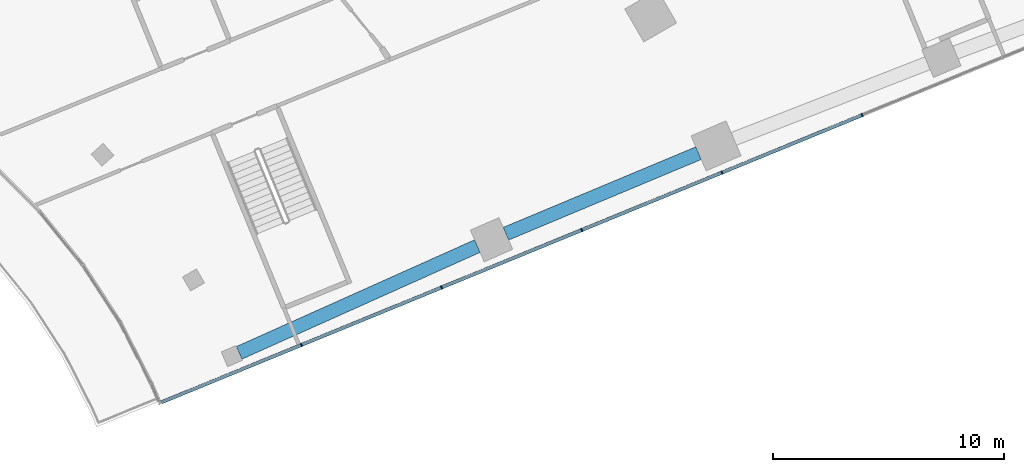
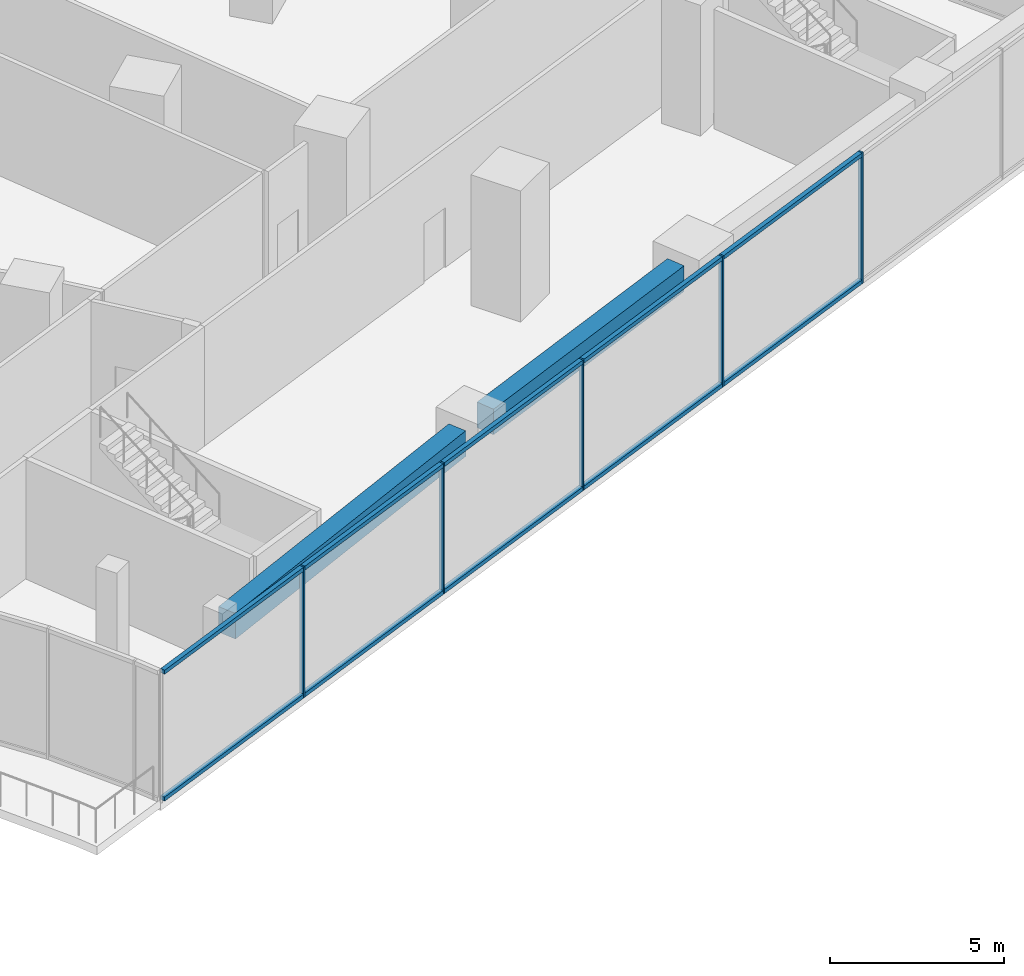
# One storey, part 10 of 39: 15 members, 2 beams, 1 element without a shape of its own.
"""IFC4 building model written with IfcOpenShell, lengths in metres."""

from ifc_helpers import new_model, si_unit, direction, frame, origin, origin_2d, place, context, subcontext, project, spatial, rectangle, extrude, material, layer, layer_set, material_profile, profile_set, type_object, element, aggregate, save


model = new_model("IFC4")

# Units and contexts
model_context = context("Model", 3, precision=1e-05, world=origin(), true_north=direction((0.0, 1.0)))
body_context = subcontext(model_context, "Body", "Model", "MODEL_VIEW")
ifc_project = project(units=[si_unit("LENGTHUNIT", "METRE"), si_unit("AREAUNIT", "SQUARE_METRE"), si_unit("VOLUMEUNIT", "CUBIC_METRE"), si_unit("PLANEANGLEUNIT", "RADIAN"), si_unit("MASSUNIT", "GRAM", prefix="KILO")], contexts=[model_context])

# Site, building, storey
site_placement = place(None, origin())
site = spatial("IfcSite", under=ifc_project, at=site_placement, CompositionType="ELEMENT")
building_placement = place(site_placement, origin())
building = spatial("IfcBuilding", under=site, at=building_placement, Name="Stone Belt Terrace Tower", CompositionType="ELEMENT")
storey_placement = place(building_placement, frame((0.0, 0.0, 20.800048828125)))
storey = spatial("IfcBuildingStorey", under=building, at=storey_placement, Name="L04", CompositionType="ELEMENT", Elevation=20.800048828125)

# Curtain wall, members
ifc_material_1 = material(Name="Aluminium 6063-T6 anodised frame", Category="aluminium")
ifc_layer = layer(ifc_material_1, 0.14990234375)
ifc_layer_set = layer_set([ifc_layer], Name="CW-D podium shopfront")
curtain_wall_type = type_object("IfcCurtainWallType", Name="CW-D podium shopfront", PredefinedType="NOTDEFINED", material=ifc_layer_set)
curtain_wall_placement = place(storey_placement, origin())
curtain_wall = element("IfcCurtainWall", 1, at=curtain_wall_placement, inside=storey, type_object=curtain_wall_type, Name="CW-D end face L04", PredefinedType="NOTDEFINED")
ifc_material_profile_1 = material_profile(ifc_material_1, rectangle(XDim=0.14990234375, YDim=0.06005859375, at=origin_2d()), Name="Aluminium 6063-T6 60x150")
ifc_profile_set_1 = profile_set([ifc_material_profile_1], Name="Aluminium 6063-T6 anodised frame")
member_type_1 = type_object("IfcMemberType", Name="CW-D mullion 60 x 150", PredefinedType="MULLION", material=ifc_profile_set_1)
member_1_placement = place(storey_placement, frame((32.47998046875, 13.231201171875, 0.0), z_axis=(0.0, 0.0, 1.0), x_axis=(-0.379243093825, 0.925297074342, 0.0)))
member_1 = element("IfcMember", 2, at=member_1_placement, type_object=member_type_1, Name="CW-D mullion 2", PredefinedType="MULLION", context=body_context, shape_type="SweptSolid", body=[
    extrude(rectangle(XDim=0.14990234375, YDim=0.06005859375, at=origin_2d()), origin(), (0.0, 0.0, 1.0), 4.599853515625),
])
member_2_placement = place(storey_placement, frame((38.560546875, 15.723388671875, 0.0), z_axis=(0.0, 0.0, 1.0), x_axis=(-0.379243093825, 0.925297074342, 0.0)))
member_2 = element("IfcMember", 3, at=member_2_placement, type_object=member_type_1, Name="CW-D mullion 3", PredefinedType="MULLION", context=body_context, shape_type="SweptSolid", body=[
    extrude(rectangle(XDim=0.14990234375, YDim=0.06005859375, at=origin_2d()), origin(), (0.0, 0.0, 1.0), 4.599853515625),
])
member_3_placement = place(storey_placement, frame((44.640869140625, 18.215576171875, 0.0), z_axis=(0.0, 0.0, 1.0), x_axis=(-0.379243093825, 0.925297074342, 0.0)))
member_3 = element("IfcMember", 4, at=member_3_placement, type_object=member_type_1, Name="CW-D mullion 4", PredefinedType="MULLION", context=body_context, shape_type="SweptSolid", body=[
    extrude(rectangle(XDim=0.14990234375, YDim=0.06005859375, at=origin_2d()), origin(), (0.0, 0.0, 1.0), 4.599853515625),
])
member_4_placement = place(storey_placement, frame((50.721435546875, 20.707763671875, 0.0), z_axis=(0.0, 0.0, 1.0), x_axis=(-0.379243093825, 0.925297074342, 0.0)))
member_4 = element("IfcMember", 5, at=member_4_placement, type_object=member_type_1, Name="CW-D mullion 5", PredefinedType="MULLION", context=body_context, shape_type="SweptSolid", body=[
    extrude(rectangle(XDim=0.14990234375, YDim=0.06005859375, at=origin_2d()), origin(), (0.0, 0.0, 1.0), 4.599853515625),
])
member_5_placement = place(storey_placement, frame((56.802001953125, 23.199951171875, 0.0), z_axis=(0.0, 0.0, 1.0), x_axis=(-0.379243093825, 0.925297074342, 0.0)))
member_5 = element("IfcMember", 6, at=member_5_placement, type_object=member_type_1, Name="CW-D mullion 6", PredefinedType="MULLION", context=body_context, shape_type="SweptSolid", body=[
    extrude(rectangle(XDim=0.14990234375, YDim=0.06005859375, at=origin_2d()), origin(), (0.0, 0.0, 1.0), 4.599853515625),
])
ifc_material_profile_2 = material_profile(ifc_material_1, rectangle(XDim=0.14990234375, YDim=0.139892578125, at=origin_2d()), Name="Aluminium 6063-T6 150x140")
ifc_profile_set_2 = profile_set([ifc_material_profile_2], Name="Aluminium 6063-T6 anodised frame")
member_type_2 = type_object("IfcMemberType", Name="CW-D transom 140 x 150", PredefinedType="USERDEFINED", material=ifc_profile_set_2)
member_6_placement = place(storey_placement, frame((26.3994140625, 10.739013671875, 0.070068359375), z_axis=(0.925300630004, 0.37923441842, 0.0), x_axis=(-0.37923441842, 0.925300630004, 0.0)))
member_6 = element("IfcMember", 7, at=member_6_placement, type_object=member_type_2, Name="CW-D transom 1.1", ObjectType="TRANSOM", PredefinedType="USERDEFINED", context=body_context, shape_type="SweptSolid", body=[
    extrude(rectangle(XDim=0.14990234375, YDim=0.139892578125, at=origin_2d()), origin(), (0.0, 0.0, 1.0), 6.541259765625),
])
member_7_placement = place(storey_placement, frame((26.3994140625, 10.739013671875, 4.530029296875), z_axis=(0.925300630004, 0.37923441842, 0.0), x_axis=(-0.37923441842, 0.925300630004, 0.0)))
member_7 = element("IfcMember", 8, at=member_7_placement, type_object=member_type_2, Name="CW-D transom 1.2", ObjectType="TRANSOM", PredefinedType="USERDEFINED", context=body_context, shape_type="SweptSolid", body=[
    extrude(rectangle(XDim=0.14990234375, YDim=0.139892578125, at=origin_2d()), origin(), (0.0, 0.0, 1.0), 6.541259765625),
])
member_8_placement = place(storey_placement, frame((32.5078125, 13.24267578125, 0.070068359375), z_axis=(0.925304275908, 0.379225522593, 0.0), x_axis=(-0.379225522593, 0.925304275908, 0.0)))
member_8 = element("IfcMember", 9, at=member_8_placement, type_object=member_type_2, Name="CW-D transom 2.1", ObjectType="TRANSOM", PredefinedType="USERDEFINED", context=body_context, shape_type="SweptSolid", body=[
    extrude(rectangle(XDim=0.14990234375, YDim=0.139892578125, at=origin_2d()), origin(), (0.0, 0.0, 1.0), 6.51123046875),
])
member_9_placement = place(storey_placement, frame((32.5078125, 13.24267578125, 4.530029296875), z_axis=(0.925304275908, 0.379225522593, 0.0), x_axis=(-0.379225522593, 0.925304275908, 0.0)))
member_9 = element("IfcMember", 10, at=member_9_placement, type_object=member_type_2, Name="CW-D transom 2.2", ObjectType="TRANSOM", PredefinedType="USERDEFINED", context=body_context, shape_type="SweptSolid", body=[
    extrude(rectangle(XDim=0.14990234375, YDim=0.139892578125, at=origin_2d()), origin(), (0.0, 0.0, 1.0), 6.51123046875),
])
member_10_placement = place(storey_placement, frame((38.588134765625, 15.73486328125, 0.070068359375), z_axis=(0.925309667874, 0.379212366015, 0.0), x_axis=(-0.379212366015, 0.925309667874, 0.0)))
member_10 = element("IfcMember", 11, at=member_10_placement, type_object=member_type_2, Name="CW-D transom 3.1", ObjectType="TRANSOM", PredefinedType="USERDEFINED", context=body_context, shape_type="SweptSolid", body=[
    extrude(rectangle(XDim=0.14990234375, YDim=0.139892578125, at=origin_2d()), origin(), (0.0, 0.0, 1.0), 6.511474609375),
])
member_11_placement = place(storey_placement, frame((38.588134765625, 15.73486328125, 4.530029296875), z_axis=(0.925309667874, 0.379212366015, 0.0), x_axis=(-0.379212366015, 0.925309667874, 0.0)))
member_11 = element("IfcMember", 12, at=member_11_placement, type_object=member_type_2, Name="CW-D transom 3.2", ObjectType="TRANSOM", PredefinedType="USERDEFINED", context=body_context, shape_type="SweptSolid", body=[
    extrude(rectangle(XDim=0.14990234375, YDim=0.139892578125, at=origin_2d()), origin(), (0.0, 0.0, 1.0), 6.511474609375),
])
member_12_placement = place(storey_placement, frame((44.668701171875, 18.226806640625, 0.070068359375), z_axis=(0.925296511345, 0.379244467452, 0.0), x_axis=(-0.379244467452, 0.925296511345, 0.0)))
member_12 = element("IfcMember", 13, at=member_12_placement, type_object=member_type_2, Name="CW-D transom 4.1", ObjectType="TRANSOM", PredefinedType="USERDEFINED", context=body_context, shape_type="SweptSolid", body=[
    extrude(rectangle(XDim=0.14990234375, YDim=0.139892578125, at=origin_2d()), origin(), (0.0, 0.0, 1.0), 6.511474609375),
])
member_13_placement = place(storey_placement, frame((44.668701171875, 18.226806640625, 4.530029296875), z_axis=(0.925296511345, 0.379244467452, 0.0), x_axis=(-0.379244467452, 0.925296511345, 0.0)))
member_13 = element("IfcMember", 14, at=member_13_placement, type_object=member_type_2, Name="CW-D transom 4.2", ObjectType="TRANSOM", PredefinedType="USERDEFINED", context=body_context, shape_type="SweptSolid", body=[
    extrude(rectangle(XDim=0.14990234375, YDim=0.139892578125, at=origin_2d()), origin(), (0.0, 0.0, 1.0), 6.511474609375),
])
member_14_placement = place(storey_placement, frame((50.749267578125, 20.718994140625, 0.070068359375), z_axis=(0.925291118543, 0.379257624769, 0.0), x_axis=(-0.379257624769, 0.925291118543, 0.0)))
member_14 = element("IfcMember", 15, at=member_14_placement, type_object=member_type_2, Name="CW-D transom 5.1", ObjectType="TRANSOM", PredefinedType="USERDEFINED", context=body_context, shape_type="SweptSolid", body=[
    extrude(rectangle(XDim=0.14990234375, YDim=0.139892578125, at=origin_2d()), origin(), (0.0, 0.0, 1.0), 6.511474609375),
])
member_15_placement = place(storey_placement, frame((50.749267578125, 20.718994140625, 4.530029296875), z_axis=(0.925291118543, 0.379257624769, 0.0), x_axis=(-0.379257624769, 0.925291118543, 0.0)))
member_15 = element("IfcMember", 16, at=member_15_placement, type_object=member_type_2, Name="CW-D transom 5.2", ObjectType="TRANSOM", PredefinedType="USERDEFINED", context=body_context, shape_type="SweptSolid", body=[
    extrude(rectangle(XDim=0.14990234375, YDim=0.139892578125, at=origin_2d()), origin(), (0.0, 0.0, 1.0), 6.511474609375),
])
aggregate(curtain_wall, [member_1, member_2, member_3, member_4, member_5, member_6, member_7, member_8, member_9, member_10, member_11, member_12, member_13, member_14, member_15])

# Beams
ifc_material_2 = material(Name="Concrete B60", Category="concrete")
ifc_material_profile_3 = material_profile(ifc_material_2, rectangle(XDim=0.60009765625, YDim=0.89990234375, at=origin_2d()), Name="RC 600x900")
ifc_profile_set_3 = profile_set([ifc_material_profile_3], Name="Concrete B60")
beam_type = type_object("IfcBeamType", Name="Edge beam RC 600x900 B60", PredefinedType="SPANDREL", material=ifc_profile_set_3)
beam_1_placement = place(storey_placement, frame((29.78076171875, 12.88818359375, 3.75), z_axis=(0.91252459094, 0.409021846519, 0.0), x_axis=(-0.409021846519, 0.91252459094, 0.0)))
element("IfcBeam", 17, at=beam_1_placement, inside=storey, type_object=beam_type, Name="Edge beam L04 B O to P", PredefinedType="SPANDREL", context=body_context, shape_type="SweptSolid", body=[
    extrude(rectangle(XDim=0.60009765625, YDim=0.89990234375, at=origin_2d()), origin(), (0.0, 0.0, 1.0), 11.320556640625),
])
beam_2_placement = place(storey_placement, frame((41.35009765625, 18.05517578125, 3.75), z_axis=(0.922576038767, 0.385815309044, 0.0), x_axis=(-0.385815309044, 0.922576038767, 0.0)))
element("IfcBeam", 18, at=beam_2_placement, inside=storey, type_object=beam_type, Name="Edge beam L04 B P to Q", PredefinedType="SPANDREL", context=body_context, shape_type="SweptSolid", body=[
    extrude(rectangle(XDim=0.60009765625, YDim=0.89990234375, at=origin_2d()), origin(), (0.0, 0.0, 1.0), 9.055908203125),
])

save(model, "model.ifc")
